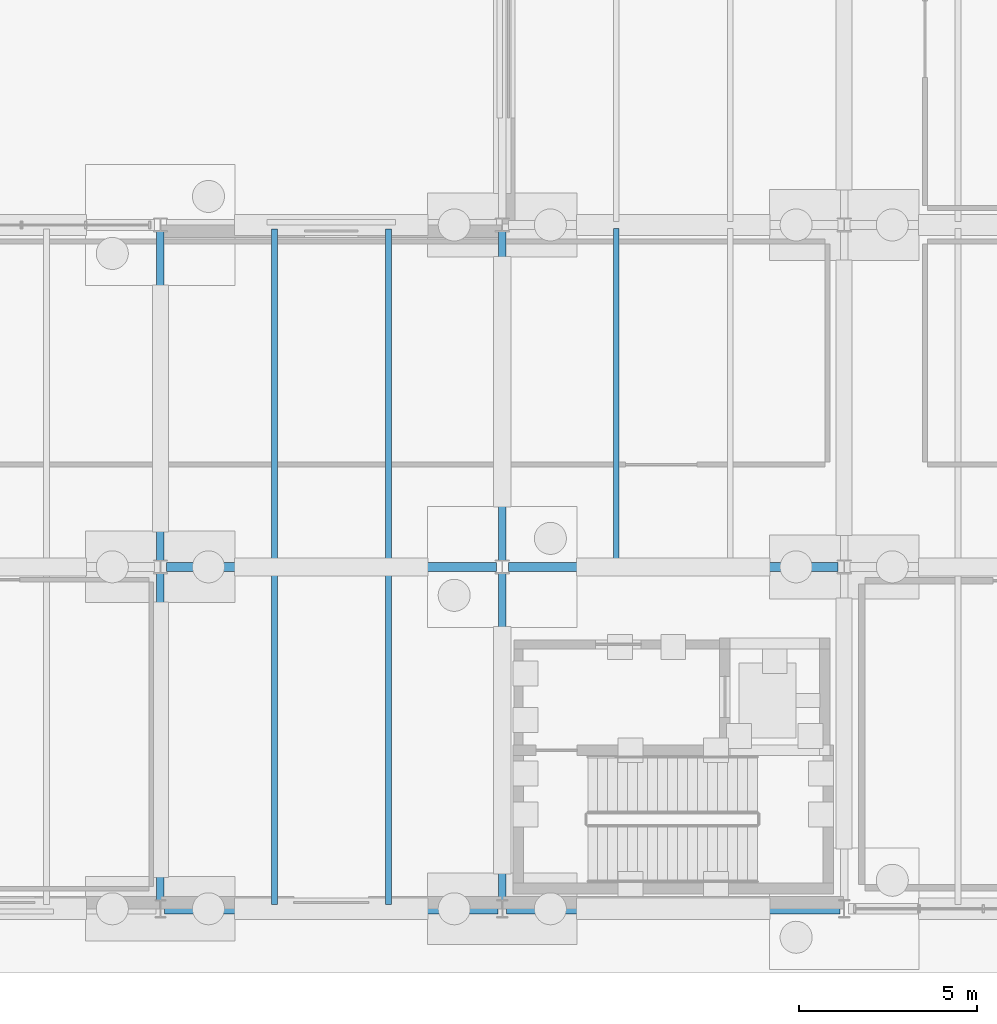
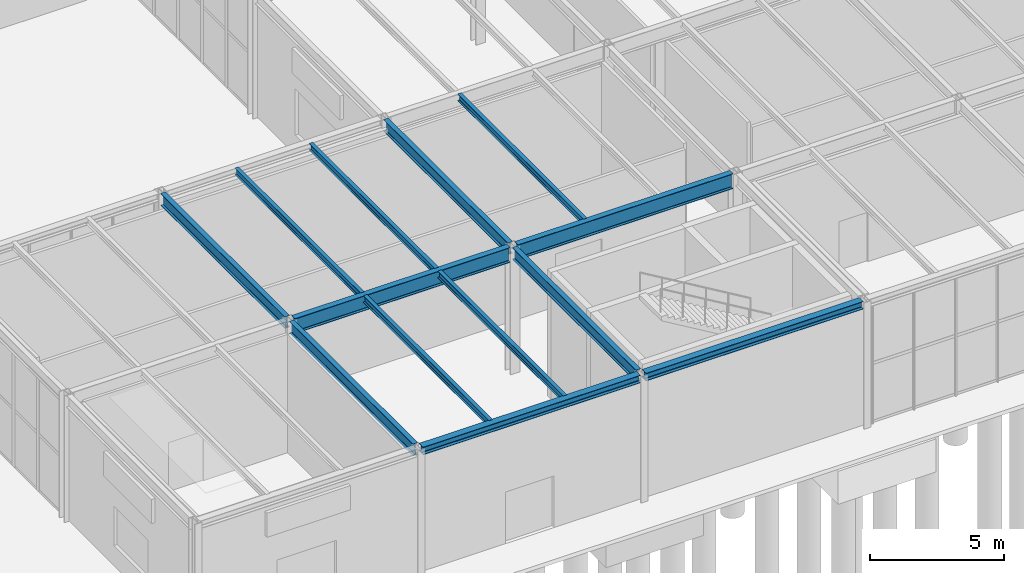
# One storey, part 81 of 142: 13 beams.
"""IFC4 building model written with IfcOpenShell, lengths in metres."""

from ifc_helpers import new_model, si_unit, direction, frame, origin, origin_2d, place, context, subcontext, project, spatial, i_section, extrude, material, material_profile, profile_set, type_object, element, save


model = new_model("IFC4")

# Units and contexts
model_context = context("Model", 3, precision=1e-05, world=origin(), true_north=direction((0.0, 1.0)))
body_context = subcontext(model_context, "Body", "Model", "MODEL_VIEW")
ifc_project = project(units=[si_unit("LENGTHUNIT", "METRE"), si_unit("AREAUNIT", "SQUARE_METRE"), si_unit("VOLUMEUNIT", "CUBIC_METRE"), si_unit("PLANEANGLEUNIT", "RADIAN"), si_unit("MASSUNIT", "GRAM", prefix="KILO")], contexts=[model_context])

# Site, building, storey
site_placement = place(None, origin())
site = spatial("IfcSite", under=ifc_project, at=site_placement, CompositionType="ELEMENT")
building_placement = place(site_placement, origin())
building = spatial("IfcBuilding", under=site, at=building_placement, Name="Coralgate Yard Interchange", CompositionType="ELEMENT")
storey_placement = place(building_placement, origin())
storey = spatial("IfcBuildingStorey", under=building, at=storey_placement, Name="L00", CompositionType="ELEMENT", Elevation=0.0)

# Beams
ifc_material = material(Name="Structural steel S355J2", Category="steel")
ifc_material_profile_1 = material_profile(ifc_material, i_section(OverallWidth=0.209228515625, OverallDepth=0.533203125, WebThickness=0.010009765625, FlangeThickness=0.015625, FilletRadius=0.0126953125, at=origin_2d()), Name="UB 533x210x92")
ifc_profile_set_1 = profile_set([ifc_material_profile_1], Name="Structural steel S355J2")
beam_type_1 = type_object("IfcBeamType", Name="BM-SB-1", PredefinedType="BEAM", material=ifc_profile_set_1)
beam_1_placement = place(storey_placement, frame((144.0, 0.219970703125, 5.4833984375), z_axis=(0.0, 1.0, 0.0), x_axis=(-1.0, 0.0, 0.0)))
element("IfcBeam", 1, at=beam_1_placement, inside=storey, type_object=beam_type_1, Name="L00 primary grid girder X15 Y0-1", PredefinedType="BEAM", context=body_context, shape_type="SweptSolid", body=[
    extrude(i_section(OverallWidth=0.209228515625, OverallDepth=0.533203125, WebThickness=0.010009765625, FlangeThickness=0.015625, FilletRadius=0.0126953125, at=origin_2d()), origin(), (0.0, 0.0, 1.0), 9.213134765625),
])
beam_2_placement = place(storey_placement, frame((144.0, 9.766845703125, 5.4833984375), z_axis=(0.0, 1.0, 0.0), x_axis=(-1.0, 0.0, 0.0)))
element("IfcBeam", 2, at=beam_2_placement, inside=storey, type_object=beam_type_1, Name="L00 primary grid girder X15 Y1-2", PredefinedType="BEAM", context=body_context, shape_type="SweptSolid", body=[
    extrude(i_section(OverallWidth=0.209228515625, OverallDepth=0.533203125, WebThickness=0.010009765625, FlangeThickness=0.015625, FilletRadius=0.0126953125, at=origin_2d()), origin(), (0.0, 0.0, 1.0), 9.266357421875),
])
beam_3_placement = place(storey_placement, frame((153.60009765625, 0.219970703125, 5.4833984375), z_axis=(0.0, 1.0, 0.0), x_axis=(-1.0, 0.0, 0.0)))
element("IfcBeam", 3, at=beam_3_placement, inside=storey, type_object=beam_type_1, Name="L00 primary grid girder X16 Y0-1", PredefinedType="BEAM", context=body_context, shape_type="SweptSolid", body=[
    extrude(i_section(OverallWidth=0.209228515625, OverallDepth=0.533203125, WebThickness=0.010009765625, FlangeThickness=0.015625, FilletRadius=0.0126953125, at=origin_2d()), origin(), (0.0, 0.0, 1.0), 9.213134765625),
])
beam_4_placement = place(storey_placement, frame((153.60009765625, 9.766845703125, 5.4833984375), z_axis=(0.0, 1.0, 0.0), x_axis=(-1.0, 0.0, 0.0)))
element("IfcBeam", 4, at=beam_4_placement, inside=storey, type_object=beam_type_1, Name="L00 primary grid girder X16 Y1-2", PredefinedType="BEAM", context=body_context, shape_type="SweptSolid", body=[
    extrude(i_section(OverallWidth=0.209228515625, OverallDepth=0.533203125, WebThickness=0.010009765625, FlangeThickness=0.015625, FilletRadius=0.0126953125, at=origin_2d()), origin(), (0.0, 0.0, 1.0), 9.266357421875),
])
ifc_material_profile_2 = material_profile(ifc_material, i_section(OverallWidth=0.253662109375, OverallDepth=0.68359375, WebThickness=0.012451171875, FlangeThickness=0.01904296875, FilletRadius=0.01513671875, at=origin_2d()), Name="UB 686x254x140")
ifc_profile_set_2 = profile_set([ifc_material_profile_2], Name="Structural steel S355J2")
beam_type_2 = type_object("IfcBeamType", Name="BM-SG-4", PredefinedType="BEAM", material=ifc_profile_set_2)
for number, where, z_axis, x_axis, name in (
    (5, (144.16943359375, 9.60009765625, 5.408203125), (1.0, 0.0, 0.0), (0.0, 1.0, 0.0), "L00 primary grid beam Y1 X15-16"),
    (6, (153.76953125, 9.60009765625, 5.408203125), (1.0, 0.0, 0.0), (0.0, 1.0, 0.0), "L00 primary grid beam Y1 X16-17"),
):
    element("IfcBeam", number, at=place(storey_placement, frame(where, z_axis=z_axis, x_axis=x_axis)), inside=storey, type_object=beam_type_2, Name=name, PredefinedType="BEAM", context=body_context, shape_type="SweptSolid", body=[
        extrude(i_section(OverallWidth=0.253662109375, OverallDepth=0.68359375, WebThickness=0.012451171875, FlangeThickness=0.01904296875, FilletRadius=0.01513671875, at=origin_2d()), origin(), (0.0, 0.0, 1.0), 9.260986328125),
    ])
ifc_material_profile_3 = material_profile(ifc_material, i_section(OverallWidth=0.1650390625, OverallDepth=0.303466796875, WebThickness=0.006103515625, FlangeThickness=0.01025390625, FilletRadius=0.0087890625, at=origin_2d()), Name="UB 305x165x40")
ifc_profile_set_3 = profile_set([ifc_material_profile_3], Name="Structural steel S355J2")
beam_type_3 = type_object("IfcBeamType", Name="BM-SJ-1", PredefinedType="JOIST", material=ifc_profile_set_3)
for number, where, z_axis, x_axis, name in (
    (7, (147.199951171875, 0.1201171875, 5.598388671875), (0.0, 1.0, 0.0), (-1.0, 0.0, 0.0), "L00 composite floor joist 15-0-1"),
    (8, (150.39990234375, 0.1201171875, 5.598388671875), (0.0, 1.0, 0.0), (-1.0, 0.0, 0.0), "L00 composite floor joist 15-0-2"),
):
    element("IfcBeam", number, at=place(storey_placement, frame(where, z_axis=z_axis, x_axis=x_axis)), inside=storey, type_object=beam_type_3, Name=name, PredefinedType="JOIST", context=body_context, shape_type="SweptSolid", body=[
        extrude(i_section(OverallWidth=0.1650390625, OverallDepth=0.303466796875, WebThickness=0.006103515625, FlangeThickness=0.01025390625, FilletRadius=0.0087890625, at=origin_2d()), origin(), (0.0, 0.0, 1.0), 9.383056640625),
    ])
for number, where, z_axis, x_axis, name in (
    (9, (147.199951171875, 9.69677734375, 5.598388671875), (0.0, 1.0, 0.0), (-1.0, 0.0, 0.0), "L00 composite floor joist 15-1-1"),
    (10, (150.39990234375, 9.69677734375, 5.598388671875), (0.0, 1.0, 0.0), (-1.0, 0.0, 0.0), "L00 composite floor joist 15-1-2"),
):
    element("IfcBeam", number, at=place(storey_placement, frame(where, z_axis=z_axis, x_axis=x_axis)), inside=storey, type_object=beam_type_3, Name=name, PredefinedType="JOIST", context=body_context, shape_type="SweptSolid", body=[
        extrude(i_section(OverallWidth=0.1650390625, OverallDepth=0.303466796875, WebThickness=0.006103515625, FlangeThickness=0.01025390625, FilletRadius=0.0087890625, at=origin_2d()), origin(), (0.0, 0.0, 1.0), 9.38330078125),
    ])
beam_5_placement = place(storey_placement, frame((156.800048828125, 9.69677734375, 5.598388671875), z_axis=(0.0, 1.0, 0.0), x_axis=(-1.0, 0.0, 0.0)))
element("IfcBeam", 11, at=beam_5_placement, inside=storey, type_object=beam_type_3, Name="L00 composite floor joist 16-1-1", PredefinedType="JOIST", context=body_context, shape_type="SweptSolid", body=[
    extrude(i_section(OverallWidth=0.1650390625, OverallDepth=0.303466796875, WebThickness=0.006103515625, FlangeThickness=0.01025390625, FilletRadius=0.0087890625, at=origin_2d()), origin(), (0.0, 0.0, 1.0), 9.40625),
])
ifc_material_profile_4 = material_profile(ifc_material, i_section(OverallWidth=0.300048828125, OverallDepth=0.35009765625, WebThickness=0.010009765625, FlangeThickness=0.017578125, FilletRadius=0.027099609375, at=origin_2d()), Name="HEA 360")
ifc_profile_set_4 = profile_set([ifc_material_profile_4], Name="Structural steel S355J2")
beam_type_4 = type_object("IfcBeamType", Name="BM-SP-1", PredefinedType="SPANDREL", material=ifc_profile_set_4)
beam_6_placement = place(storey_placement, frame((144.1201171875, 0.0, 5.574951171875), z_axis=(1.0, 0.0, 0.0), x_axis=(0.0, 1.0, 0.0)))
element("IfcBeam", 12, at=beam_6_placement, inside=storey, type_object=beam_type_4, Name="L00 primary grid beam Y0 X15-16", PredefinedType="SPANDREL", context=body_context, shape_type="SweptSolid", body=[
    extrude(i_section(OverallWidth=0.300048828125, OverallDepth=0.35009765625, WebThickness=0.010009765625, FlangeThickness=0.017578125, FilletRadius=0.027099609375, at=origin_2d()), origin(), (0.0, 0.0, 1.0), 9.35986328125),
])
beam_7_placement = place(storey_placement, frame((153.719970703125, 0.0, 5.574951171875), z_axis=(1.0, 0.0, 0.0), x_axis=(0.0, 1.0, 0.0)))
element("IfcBeam", 13, at=beam_7_placement, inside=storey, type_object=beam_type_4, Name="L00 primary grid beam Y0 X16-17", PredefinedType="SPANDREL", context=body_context, shape_type="SweptSolid", body=[
    extrude(i_section(OverallWidth=0.300048828125, OverallDepth=0.35009765625, WebThickness=0.010009765625, FlangeThickness=0.017578125, FilletRadius=0.027099609375, at=origin_2d()), origin(), (0.0, 0.0, 1.0), 9.360107421875),
])

save(model, "model.ifc")
